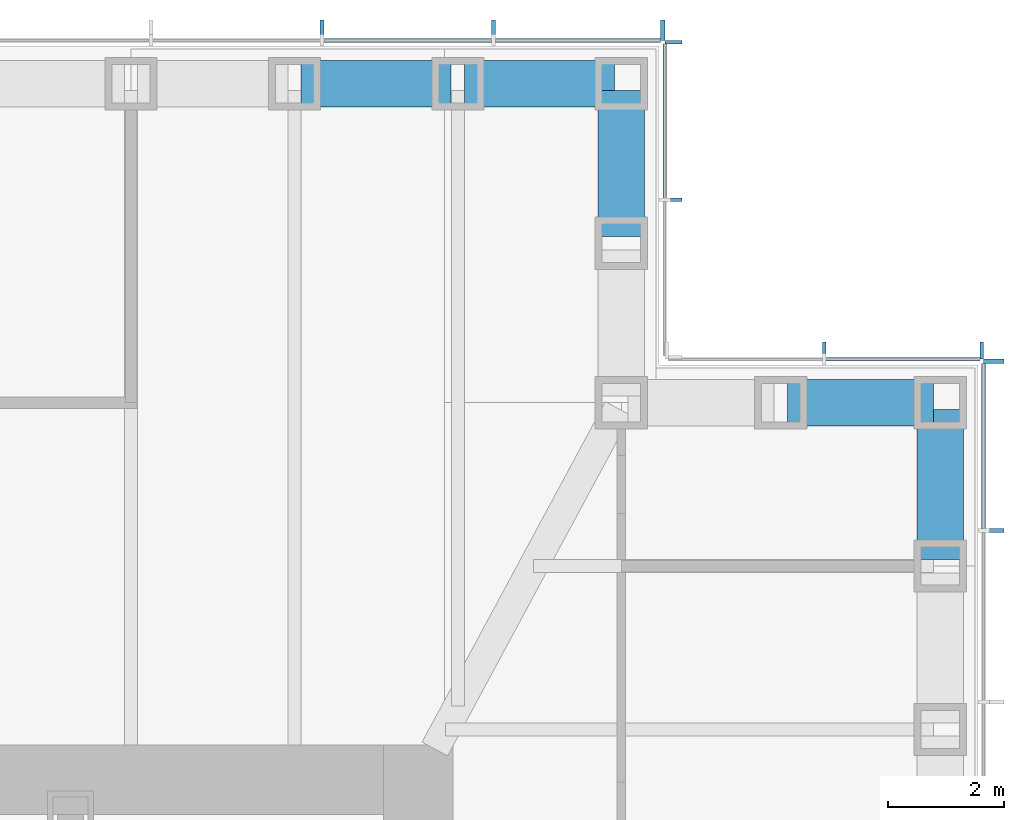
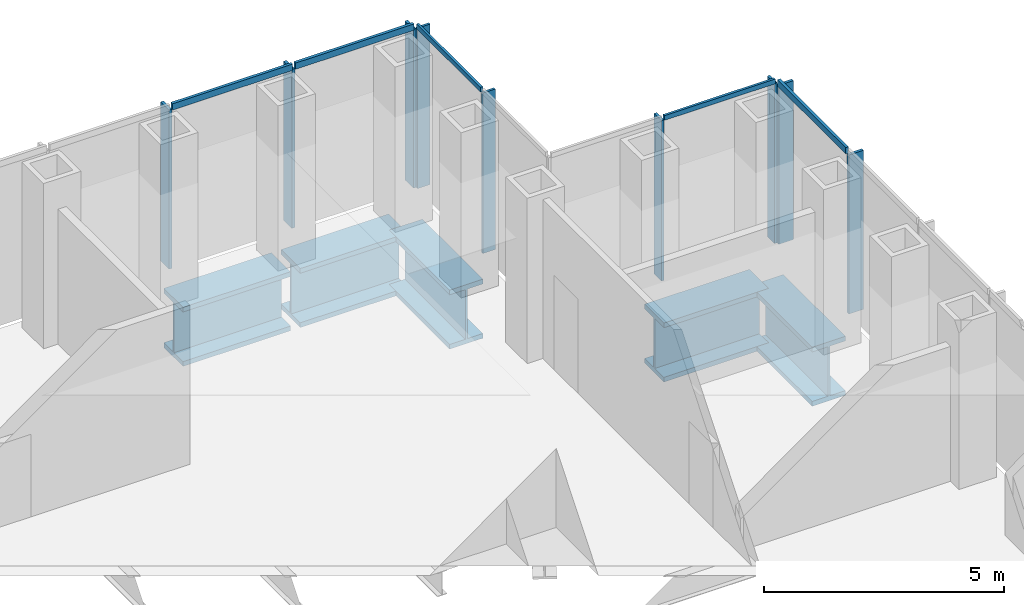
# One storey, part 6 of 17: 14 members, 5 beams, 4 elements without a shape of their own.
"""IFC4 building model written with IfcOpenShell, lengths in metres."""

from ifc_helpers import new_model, si_unit, direction, frame, origin, origin_2d, place, context, subcontext, project, spatial, rectangle, i_section, extrude, material, material_profile, profile_set, type_object, element, aggregate, save


model = new_model("IFC4")

# Units and contexts
model_context = context("Model", 3, precision=1e-05, world=origin(), true_north=direction((0.0, 1.0)))
body_context = subcontext(model_context, "Body", "Model", "MODEL_VIEW")
ifc_project = project(units=[si_unit("LENGTHUNIT", "METRE"), si_unit("AREAUNIT", "SQUARE_METRE"), si_unit("VOLUMEUNIT", "CUBIC_METRE"), si_unit("PLANEANGLEUNIT", "RADIAN"), si_unit("MASSUNIT", "GRAM", prefix="KILO")], contexts=[model_context])

# Site, building, storey
site_placement = place(None, origin())
site = spatial("IfcSite", under=ifc_project, at=site_placement, CompositionType="ELEMENT")
building_placement = place(site_placement, origin())
building = spatial("IfcBuilding", under=site, at=building_placement, Name="Daluyong Arena Tower", CompositionType="ELEMENT")
storey_placement = place(building_placement, frame((0.0, 0.0, 193.89990234375)))
storey = spatial("IfcBuildingStorey", under=building, at=storey_placement, Name="L43", CompositionType="ELEMENT", Elevation=193.89990234375)

# Curtain wall, members
ifc_material_1 = material(Name="Bronze anodised aluminium and glass", Category="aluminium")
curtain_wall_type_1 = type_object("IfcCurtainWallType", Name="Curtain wall CW3", PredefinedType="USERDEFINED", material=ifc_material_1)
curtain_wall_1_placement = place(storey_placement, origin())
curtain_wall_1 = element("IfcCurtainWall", 1, at=curtain_wall_1_placement, inside=storey, type_object=curtain_wall_type_1, Name="curtain wall L43 E", ObjectType="UNITISED CURTAIN WALL", PredefinedType="USERDEFINED")
ifc_material_2 = material(Name="Bronze anodised aluminium fin", Category="aluminium")
ifc_material_profile_1 = material_profile(ifc_material_2, rectangle(XDim=0.35009765625, YDim=0.070068359375, at=origin_2d()))
ifc_profile_set_1 = profile_set([ifc_material_profile_1], Name="Bronze anodised aluminium fin")
member_type_1 = type_object("IfcMemberType", Name="CW3 bronze fin 350x70", PredefinedType="MULLION", material=ifc_profile_set_1)
member_1_placement = place(storey_placement, frame((77.925048828125, 93.29541015625, 0.0), z_axis=(0.0, 0.0, 1.0), x_axis=(-1.0, 0.0, 0.0)))
member_1 = element("IfcMember", 2, at=member_1_placement, type_object=member_type_1, Name="curtain wall L43 E fin 11", PredefinedType="MULLION", context=body_context, shape_type="SweptSolid", body=[
    extrude(rectangle(XDim=0.35009765625, YDim=0.070068359375, at=origin_2d()), origin(), (0.0, 0.0, 1.0), 4.0400390625),
])
member_2_placement = place(storey_placement, frame((77.925048828125, 96.215087890625, 0.0), z_axis=(0.0, 0.0, 1.0), x_axis=(-1.0, 0.0, 0.0)))
member_2 = element("IfcMember", 3, at=member_2_placement, type_object=member_type_1, Name="curtain wall L43 E fin 12", PredefinedType="MULLION", context=body_context, shape_type="SweptSolid", body=[
    extrude(rectangle(XDim=0.35009765625, YDim=0.070068359375, at=origin_2d()), origin(), (0.0, 0.0, 1.0), 4.0400390625),
])

curtain_wall_2_placement = place(storey_placement, origin())
curtain_wall_2 = element("IfcCurtainWall", 4, at=curtain_wall_2_placement, inside=storey, type_object=curtain_wall_type_1, Name="curtain wall L43 N", ObjectType="UNITISED CURTAIN WALL", PredefinedType="USERDEFINED")
member_3_placement = place(storey_placement, frame((72.215087890625, 101.925048828125, 0.0), z_axis=(0.0, 0.0, 1.0), x_axis=(0.0, -1.0, 0.0)))
member_3 = element("IfcMember", 5, at=member_3_placement, type_object=member_type_1, Name="curtain wall L43 N fin 1", PredefinedType="MULLION", context=body_context, shape_type="SweptSolid", body=[
    extrude(rectangle(XDim=0.35009765625, YDim=0.070068359375, at=origin_2d()), origin(), (0.0, 0.0, 1.0), 4.0400390625),
])
member_4_placement = place(storey_placement, frame((69.29541015625, 101.925048828125, 0.0), z_axis=(0.0, 0.0, 1.0), x_axis=(0.0, -1.0, 0.0)))
member_4 = element("IfcMember", 6, at=member_4_placement, type_object=member_type_1, Name="curtain wall L43 N fin 2", PredefinedType="MULLION", context=body_context, shape_type="SweptSolid", body=[
    extrude(rectangle(XDim=0.35009765625, YDim=0.070068359375, at=origin_2d()), origin(), (0.0, 0.0, 1.0), 4.0400390625),
])
member_5_placement = place(storey_placement, frame((66.3408203125, 101.925048828125, 0.0), z_axis=(0.0, 0.0, 1.0), x_axis=(0.0, -1.0, 0.0)))
member_5 = element("IfcMember", 7, at=member_5_placement, type_object=member_type_1, Name="curtain wall L43 N fin 3", PredefinedType="MULLION", context=body_context, shape_type="SweptSolid", body=[
    extrude(rectangle(XDim=0.35009765625, YDim=0.070068359375, at=origin_2d()), origin(), (0.0, 0.0, 1.0), 4.0400390625),
])

# Member
ifc_material_3 = material(Name="Bronze anodised aluminium", Category="aluminium")
ifc_material_profile_2 = material_profile(ifc_material_3, rectangle(XDim=0.070068359375, YDim=0.159912109375, at=origin_2d()))
ifc_profile_set_2 = profile_set([ifc_material_profile_2], Name="Bronze anodised aluminium")
member_type_2 = type_object("IfcMemberType", Name="CW3 stack transom 160x70", PredefinedType="USERDEFINED", material=ifc_profile_set_2)
member_6_placement = place(storey_placement, frame((77.75, 93.33056640625, 4.1201171875), z_axis=(0.0, 1.0, 0.0), x_axis=(-1.0, 0.0, 0.0)))
member_6 = element("IfcMember", 8, at=member_6_placement, type_object=member_type_2, Name="curtain wall L43 E transom 11", ObjectType="TRANSOM", PredefinedType="USERDEFINED", context=body_context, shape_type="SweptSolid", body=[
    extrude(rectangle(XDim=0.070068359375, YDim=0.159912109375, at=origin_2d()), origin(), (0.0, 0.0, 1.0), 2.849365234375),
])

aggregate(curtain_wall_1, [member_1, member_2, member_6])

member_7_placement = place(storey_placement, frame((72.179931640625, 101.75, 4.1201171875), z_axis=(-1.0, 0.0, 0.0), x_axis=(0.0, -1.0, 0.0)))
member_7 = element("IfcMember", 9, at=member_7_placement, type_object=member_type_2, Name="curtain wall L43 N transom 1", ObjectType="TRANSOM", PredefinedType="USERDEFINED", context=body_context, shape_type="SweptSolid", body=[
    extrude(rectangle(XDim=0.070068359375, YDim=0.159912109375, at=origin_2d()), origin(), (0.0, 0.0, 1.0), 2.849365234375),
])

member_8_placement = place(storey_placement, frame((69.260498046875, 101.75, 4.1201171875), z_axis=(-1.0, 0.0, 0.0), x_axis=(0.0, -1.0, 0.0)))
member_8 = element("IfcMember", 10, at=member_8_placement, type_object=member_type_2, Name="curtain wall L43 N transom 2", ObjectType="TRANSOM", PredefinedType="USERDEFINED", context=body_context, shape_type="SweptSolid", body=[
    extrude(rectangle(XDim=0.070068359375, YDim=0.159912109375, at=origin_2d()), origin(), (0.0, 0.0, 1.0), 2.884521484375),
])

aggregate(curtain_wall_2, [member_3, member_4, member_5, member_7, member_8])

# Curtain wall, members
ifc_material_4 = material(Name="Bronze anodised aluminium and glass", Category="aluminium")
curtain_wall_type_2 = type_object("IfcCurtainWallType", Name="Curtain wall CW7", PredefinedType="USERDEFINED", material=ifc_material_4)
curtain_wall_3_placement = place(storey_placement, origin())
curtain_wall_3 = element("IfcCurtainWall", 11, at=curtain_wall_3_placement, inside=storey, type_object=curtain_wall_type_2, Name="curtain wall L43 NE-N", ObjectType="UNITISED CURTAIN WALL", PredefinedType="USERDEFINED")
ifc_material_5 = material(Name="Bronze anodised aluminium fin", Category="aluminium")
ifc_material_profile_3 = material_profile(ifc_material_5, rectangle(XDim=0.300048828125, YDim=0.06005859375, at=origin_2d()))
ifc_profile_set_3 = profile_set([ifc_material_profile_3], Name="Bronze anodised aluminium fin")
member_type_3 = type_object("IfcMemberType", Name="CW7 bronze fin 300x60", PredefinedType="MULLION", material=ifc_profile_set_3)
member_9_placement = place(storey_placement, frame((77.719970703125, 96.39990234375, 0.0), z_axis=(0.0, 0.0, 1.0), x_axis=(0.0, -1.0, 0.0)))
member_9 = element("IfcMember", 12, at=member_9_placement, type_object=member_type_3, Name="curtain wall L43 NE-N fin 1", PredefinedType="MULLION", context=body_context, shape_type="SweptSolid", body=[
    extrude(rectangle(XDim=0.300048828125, YDim=0.06005859375, at=origin_2d()), origin(), (0.0, 0.0, 1.0), 4.080078125),
])
member_10_placement = place(storey_placement, frame((75.0, 96.39990234375, 0.0), z_axis=(0.0, 0.0, 1.0), x_axis=(0.0, -1.0, 0.0)))
member_10 = element("IfcMember", 13, at=member_10_placement, type_object=member_type_3, Name="curtain wall L43 NE-N fin 2", PredefinedType="MULLION", context=body_context, shape_type="SweptSolid", body=[
    extrude(rectangle(XDim=0.300048828125, YDim=0.06005859375, at=origin_2d()), origin(), (0.0, 0.0, 1.0), 4.080078125),
])

curtain_wall_4_placement = place(storey_placement, origin())
curtain_wall_4 = element("IfcCurtainWall", 14, at=curtain_wall_4_placement, inside=storey, type_object=curtain_wall_type_2, Name="curtain wall L43 NE-E", ObjectType="UNITISED CURTAIN WALL", PredefinedType="USERDEFINED")
member_11_placement = place(storey_placement, frame((72.39990234375, 99.0, 0.0), z_axis=(0.0, 0.0, 1.0), x_axis=(-1.0, 0.0, 0.0)))
member_11 = element("IfcMember", 15, at=member_11_placement, type_object=member_type_3, Name="curtain wall L43 NE-E fin 2", PredefinedType="MULLION", context=body_context, shape_type="SweptSolid", body=[
    extrude(rectangle(XDim=0.300048828125, YDim=0.06005859375, at=origin_2d()), origin(), (0.0, 0.0, 1.0), 4.080078125),
])
member_12_placement = place(storey_placement, frame((72.39990234375, 101.719970703125, 0.0), z_axis=(0.0, 0.0, 1.0), x_axis=(-1.0, 0.0, 0.0)))
member_12 = element("IfcMember", 16, at=member_12_placement, type_object=member_type_3, Name="curtain wall L43 NE-E fin 3", PredefinedType="MULLION", context=body_context, shape_type="SweptSolid", body=[
    extrude(rectangle(XDim=0.300048828125, YDim=0.06005859375, at=origin_2d()), origin(), (0.0, 0.0, 1.0), 4.080078125),
])

# Member
ifc_material_6 = material(Name="Bronze anodised aluminium", Category="aluminium")
ifc_material_profile_4 = material_profile(ifc_material_6, rectangle(XDim=0.06005859375, YDim=0.1201171875, at=origin_2d()))
ifc_profile_set_4 = profile_set([ifc_material_profile_4], Name="Bronze anodised aluminium")
member_type_4 = type_object("IfcMemberType", Name="CW7 stack transom 120x60", PredefinedType="USERDEFINED", material=ifc_profile_set_4)
member_13_placement = place(storey_placement, frame((77.68994140625, 96.25, 4.14013671875), z_axis=(-1.0, 0.0, 0.0), x_axis=(0.0, -1.0, 0.0)))
member_13 = element("IfcMember", 17, at=member_13_placement, type_object=member_type_4, Name="curtain wall L43 NE-N transom 1", ObjectType="TRANSOM", PredefinedType="USERDEFINED", context=body_context, shape_type="SweptSolid", body=[
    extrude(rectangle(XDim=0.06005859375, YDim=0.1201171875, at=origin_2d()), origin(), (0.0, 0.0, 1.0), 2.659912109375),
])

aggregate(curtain_wall_3, [member_9, member_10, member_13])

member_14_placement = place(storey_placement, frame((72.25, 99.030029296875, 4.14013671875), z_axis=(0.0, 1.0, 0.0), x_axis=(-1.0, 0.0, 0.0)))
member_14 = element("IfcMember", 18, at=member_14_placement, type_object=member_type_4, Name="curtain wall L43 NE-E transom 2", ObjectType="TRANSOM", PredefinedType="USERDEFINED", context=body_context, shape_type="SweptSolid", body=[
    extrude(rectangle(XDim=0.06005859375, YDim=0.1201171875, at=origin_2d()), origin(), (0.0, 0.0, 1.0), 2.659912109375),
])

aggregate(curtain_wall_4, [member_11, member_12, member_14])

# Beams
ifc_material_7 = material(Name="Steel ASTM A588 Grade 50", Category="steel")
ifc_material_profile_5 = material_profile(ifc_material_7, i_section(OverallWidth=0.800048828125, OverallDepth=1.5, WebThickness=0.05, FlangeThickness=0.12, at=origin_2d()))
ifc_profile_set_5 = profile_set([ifc_material_profile_5], Name="Steel ASTM A588 Grade 50")
beam_type = type_object("IfcBeamType", Name="Spandrel Z3 PG1500X800", PredefinedType="SPANDREL", material=ifc_profile_set_5)
beam_1_placement = place(storey_placement, frame((77.0, 92.796875, -0.909912109375), z_axis=(0.0, 1.0, 0.0), x_axis=(-1.0, 0.0, 0.0)))
element("IfcBeam", 19, at=beam_1_placement, inside=storey, type_object=beam_type, Name="spandrel z3 SB7", PredefinedType="SPANDREL", context=body_context, shape_type="SweptSolid", body=[
    extrude(i_section(OverallWidth=0.800048828125, OverallDepth=1.5, WebThickness=0.05, FlangeThickness=0.12, at=origin_2d()), origin(), (0.0, 0.0, 1.0), 2.588134765625),
])
for number, where, z_axis, x_axis, name in (
    (20, (76.885009765625, 95.5, -0.909912109375), (-1.0, 0.0, 0.0), (0.0, -1.0, 0.0), "spandrel z3 SB7"),
    (21, (71.5, 98.364990234375, -0.909912109375), (0.0, 1.0, 0.0), (-1.0, 0.0, 0.0), "spandrel z3 SB7"),
):
    element("IfcBeam", number, at=place(storey_placement, frame(where, z_axis=z_axis, x_axis=x_axis)), inside=storey, type_object=beam_type, Name=name, PredefinedType="SPANDREL", context=body_context, shape_type="SweptSolid", body=[
        extrude(i_section(OverallWidth=0.800048828125, OverallDepth=1.5, WebThickness=0.05, FlangeThickness=0.12, at=origin_2d()), origin(), (0.0, 0.0, 1.0), 2.52001953125),
    ])
beam_2_placement = place(storey_placement, frame((71.385009765625, 101.0, -0.909912109375), z_axis=(-1.0, 0.0, 0.0), x_axis=(0.0, -1.0, 0.0)))
element("IfcBeam", 22, at=beam_2_placement, inside=storey, type_object=beam_type, Name="spandrel z3 SB7", PredefinedType="SPANDREL", context=body_context, shape_type="SweptSolid", body=[
    extrude(i_section(OverallWidth=0.800048828125, OverallDepth=1.5, WebThickness=0.05, FlangeThickness=0.12, at=origin_2d()), origin(), (0.0, 0.0, 1.0), 2.588134765625),
])
beam_3_placement = place(storey_placement, frame((68.56689453125, 101.0, -0.909912109375), z_axis=(-1.0, 0.0, 0.0), x_axis=(0.0, -1.0, 0.0)))
element("IfcBeam", 23, at=beam_3_placement, inside=storey, type_object=beam_type, Name="spandrel z3 SB7", PredefinedType="SPANDREL", context=body_context, shape_type="SweptSolid", body=[
    extrude(i_section(OverallWidth=0.800048828125, OverallDepth=1.5, WebThickness=0.05, FlangeThickness=0.12, at=origin_2d()), origin(), (0.0, 0.0, 1.0), 2.58837890625),
])

save(model, "model.ifc")
